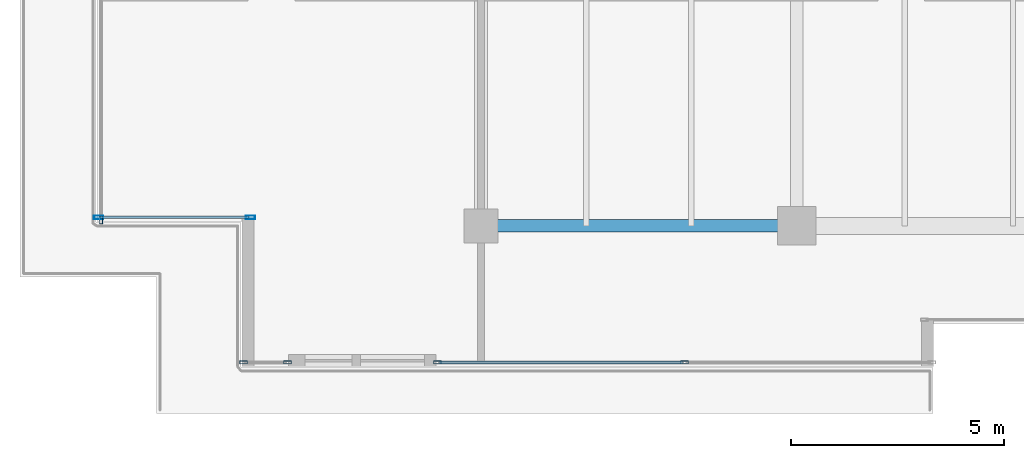
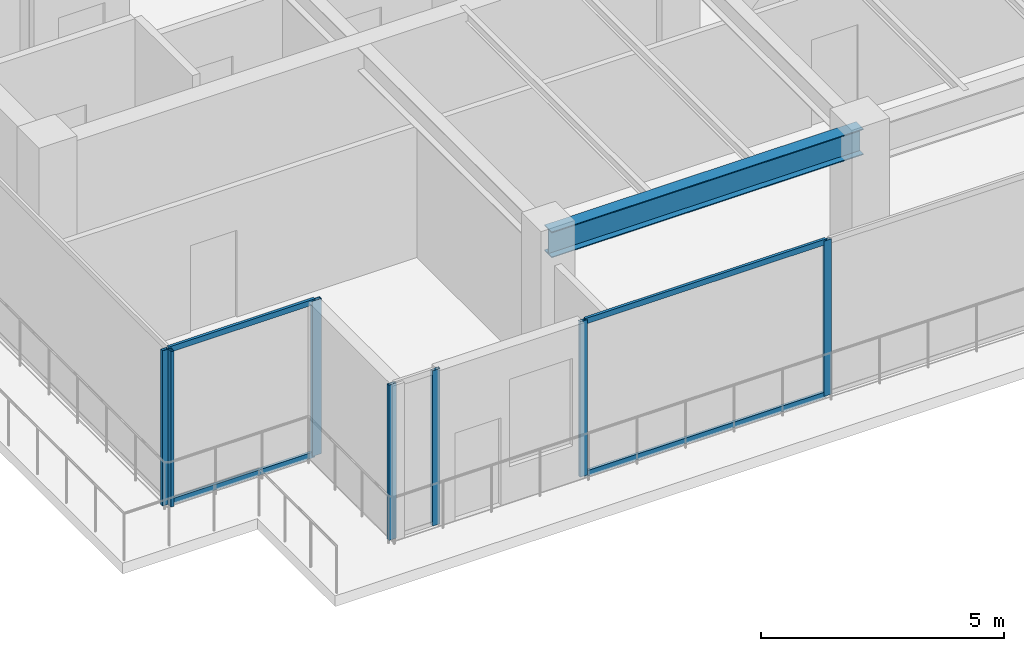
# One storey, part 4 of 34: 11 members, 1 beam, 4 elements without a shape of their own.
"""IFC4 building model written with IfcOpenShell, lengths in metres."""

from ifc_helpers import new_model, si_unit, direction, frame, origin, origin_2d, place, context, subcontext, project, spatial, hollow_rectangle, i_section, extrude, source, transform, mapped, material, layer, layer_set, material_profile, profile_set, type_object, type_shapes, element, aggregate, save


model = new_model("IFC4")

# Units and contexts
model_context = context("Model", 3, precision=1e-05, world=origin(), true_north=direction((0.0, 1.0)))
body_context = subcontext(model_context, "Body", "Model", "MODEL_VIEW")
ifc_project = project(units=[si_unit("LENGTHUNIT", "METRE"), si_unit("AREAUNIT", "SQUARE_METRE"), si_unit("VOLUMEUNIT", "CUBIC_METRE"), si_unit("PLANEANGLEUNIT", "RADIAN"), si_unit("MASSUNIT", "GRAM", prefix="KILO")], contexts=[model_context])

# Site, building, storey
site_placement = place(None, origin())
site = spatial("IfcSite", under=ifc_project, at=site_placement, CompositionType="ELEMENT")
building_placement = place(site_placement, origin())
building = spatial("IfcBuilding", under=site, at=building_placement, Name="Haelvirn Gate Laboratories", CompositionType="ELEMENT")
storey_placement = place(building_placement, frame((0.0, 0.0, 297.60009765625)))
storey = spatial("IfcBuildingStorey", under=building, at=storey_placement, Name="L71", CompositionType="ELEMENT", Elevation=297.60009765625)

# Beam
ifc_material_1 = material(Name="Steel SM355", Category="steel")
ifc_material_profile_1 = material_profile(ifc_material_1, i_section(OverallWidth=0.300048828125, OverallDepth=0.64990234375, WebThickness=0.012939453125, FlangeThickness=0.02197265625, at=origin_2d()), Name="H-650x300x13x22")
ifc_profile_set_1 = profile_set([ifc_material_profile_1], Name="Steel SM355")
beam_type = type_object("IfcBeamType", Name="BM-G-650", PredefinedType="BEAM", material=ifc_profile_set_1)
shared_shape_1 = source(origin(), body_context, "Body", "SweptSolid", [
    extrude(i_section(OverallWidth=0.300048828125, OverallDepth=0.64990234375, WebThickness=0.012939453125, FlangeThickness=0.02197265625, at=origin_2d()), origin(), (0.0, 0.0, 1.0), 7.39990234375),
])
type_shapes(beam_type, [shared_shape_1])
beam_placement = place(storey_placement, frame((14.800048828125, 7.0, 3.574951171875), z_axis=(1.0, 0.0, 0.0), x_axis=(0.0, 1.0, 0.0)))
element("IfcBeam", 1, at=beam_placement, inside=storey, type_object=beam_type, Name="L71 Primary Girder Y7.0 (14.8-22.2)", PredefinedType="BEAM", context=body_context, shape_type="MappedRepresentation", body=[
    mapped(shared_shape_1, transform((0.0, 0.0, 0.0), scale=1.0)),
])

# Curtain wall, members
ifc_material_2 = material(Name="Anodised bronze unitised aluminium & triple low-E glass", Category="aluminium")
ifc_layer_1 = layer(ifc_material_2, 0.176025390625, Name="CW-SYS-4")
ifc_layer_set_1 = layer_set([ifc_layer_1], Name="Anodised bronze unitised aluminium & triple low-E glass")
curtain_wall_type_1 = type_object("IfcCurtainWallType", Name="CW-SYS-4", PredefinedType="NOTDEFINED", material=ifc_layer_set_1)
curtain_wall_1_placement = place(storey_placement, origin())
curtain_wall_1 = element("IfcCurtainWall", 2, at=curtain_wall_1_placement, inside=storey, type_object=curtain_wall_type_1, Name="L71 Unitised Curtain Wall CW-L71-P0-E00-1", PredefinedType="NOTDEFINED")
ifc_material_3 = material(Name="Extruded aluminium 6063-T6 (anodised bronze)", Category="aluminium")
ifc_material_profile_2 = material_profile(ifc_material_3, hollow_rectangle(XDim=0.070068359375, YDim=0.179931640625, WallThickness=0.0048828125, at=origin_2d()), Name="CWM-180x70x5")
ifc_profile_set_2 = profile_set([ifc_material_profile_2], Name="Extruded aluminium 6063-T6 (anodised bronze)")
member_type_1 = type_object("IfcMemberType", Name="CWM-T180", PredefinedType="MULLION", material=ifc_profile_set_2)
shared_shape_2 = source(origin(), body_context, "Body", "SweptSolid", [
    extrude(hollow_rectangle(XDim=0.070068359375, YDim=0.179931640625, WallThickness=0.0048828125, at=origin_2d()), origin(), (0.0, 0.0, 1.0), 3.89990234375),
])
type_shapes(member_type_1, [shared_shape_2])
member_1_placement = place(storey_placement, frame((9.235107421875, 3.800048828125, 0.0), z_axis=(0.0, 0.0, 1.0), x_axis=(0.0, 1.0, 0.0)))
member_1 = element("IfcMember", 3, at=member_1_placement, type_object=member_type_1, Name="CW4 mullion 1", PredefinedType="MULLION", context=body_context, shape_type="MappedRepresentation", body=[
    mapped(shared_shape_2, transform((0.0, 0.0, 0.0), scale=1.0)),
])
member_2_placement = place(storey_placement, frame((10.27001953125, 3.800048828125, 0.0), z_axis=(0.0, 0.0, 1.0), x_axis=(0.0, 1.0, 0.0)))
member_2 = element("IfcMember", 4, at=member_2_placement, type_object=member_type_1, Name="CW4 mullion 2", PredefinedType="MULLION", context=body_context, shape_type="MappedRepresentation", body=[
    mapped(shared_shape_2, transform((0.0, 0.0, 0.0), scale=1.0)),
])
aggregate(curtain_wall_1, [member_1, member_2])

curtain_wall_2_placement = place(storey_placement, origin())
curtain_wall_2 = element("IfcCurtainWall", 5, at=curtain_wall_2_placement, inside=storey, type_object=curtain_wall_type_1, Name="L71 Unitised Curtain Wall CW-L71-P0-E00-2", PredefinedType="NOTDEFINED")
member_3_placement = place(storey_placement, frame((13.780029296875, 3.800048828125, 0.0), z_axis=(0.0, 0.0, 1.0), x_axis=(0.0, 1.0, 0.0)))
member_3 = element("IfcMember", 6, at=member_3_placement, type_object=member_type_1, Name="CW4 mullion 1", PredefinedType="MULLION", context=body_context, shape_type="MappedRepresentation", body=[
    mapped(shared_shape_2, transform((0.0, 0.0, 0.0), scale=1.0)),
])
member_4_placement = place(storey_placement, frame((19.572509765625, 3.800048828125, 0.0), z_axis=(0.0, 0.0, 1.0), x_axis=(0.0, 1.0, 0.0)))
member_4 = element("IfcMember", 7, at=member_4_placement, type_object=member_type_1, Name="CW4 mullion 2", PredefinedType="MULLION", context=body_context, shape_type="MappedRepresentation", body=[
    mapped(shared_shape_2, transform((0.0, 0.0, 0.0), scale=1.0)),
])

# Curtain wall, member
curtain_wall_3_placement = place(storey_placement, origin())
curtain_wall_3 = element("IfcCurtainWall", 8, at=curtain_wall_3_placement, inside=storey, type_object=curtain_wall_type_1, Name="L71 Unitised Curtain Wall CW-L71-P0-E17", PredefinedType="NOTDEFINED")
member_5_placement = place(storey_placement, frame((5.89990234375, 7.135009765625, 0.0), z_axis=(0.0, 0.0, 1.0), x_axis=(1.0, 0.0, 0.0)))
member_5 = element("IfcMember", 9, at=member_5_placement, type_object=member_type_1, Name="CW4 mullion 3", PredefinedType="MULLION", context=body_context, shape_type="MappedRepresentation", body=[
    mapped(shared_shape_2, transform((0.0, 0.0, 0.0), scale=1.0)),
])
aggregate(curtain_wall_3, [member_5])

# Member
ifc_material_profile_3 = material_profile(ifc_material_3, hollow_rectangle(XDim=0.06494140625, YDim=0.139892578125, WallThickness=0.00390625, at=origin_2d()), Name="CWT-140x65x4")
ifc_profile_set_3 = profile_set([ifc_material_profile_3], Name="Extruded aluminium 6063-T6 (anodised bronze)")
member_type_2 = type_object("IfcMemberType", Name="CWT-T140", PredefinedType="USERDEFINED", material=ifc_profile_set_3)
shared_shape_3 = source(origin(), body_context, "Body", "SweptSolid", [
    extrude(hollow_rectangle(XDim=0.06494140625, YDim=0.139892578125, WallThickness=0.00390625, at=origin_2d()), origin(), (0.0, 0.0, 1.0), 5.72265625),
])
member_6_placement = place(storey_placement, frame((13.81494140625, 3.800048828125, 0.032470703125), z_axis=(1.0, 0.0, 0.0), x_axis=(0.0, 1.0, 0.0)))
member_6 = element("IfcMember", 10, at=member_6_placement, type_object=member_type_2, Name="CW4 transom 1.1", ObjectType="TRANSOM", PredefinedType="USERDEFINED", context=body_context, shape_type="MappedRepresentation", body=[
    mapped(shared_shape_3, transform((0.0, 0.0, 0.0), scale=1.0)),
])

member_7_placement = place(storey_placement, frame((13.81494140625, 3.800048828125, 3.867431640625), z_axis=(1.0, 0.0, 0.0), x_axis=(0.0, 1.0, 0.0)))
member_7 = element("IfcMember", 11, at=member_7_placement, type_object=member_type_2, Name="CW4 transom 1.2", ObjectType="TRANSOM", PredefinedType="USERDEFINED", context=body_context, shape_type="MappedRepresentation", body=[
    mapped(shared_shape_3, transform((0.0, 0.0, 0.0), scale=1.0)),
])

aggregate(curtain_wall_2, [member_3, member_4, member_6, member_7])

# Curtain wall, members
ifc_layer_2 = layer(ifc_material_2, 0.181884765625, Name="CW-SYS-5")
ifc_layer_set_2 = layer_set([ifc_layer_2], Name="Anodised bronze unitised aluminium & triple low-E glass")
curtain_wall_type_2 = type_object("IfcCurtainWallType", Name="CW-SYS-5", PredefinedType="NOTDEFINED", material=ifc_layer_set_2)
curtain_wall_4_placement = place(storey_placement, origin())
curtain_wall_4 = element("IfcCurtainWall", 12, at=curtain_wall_4_placement, inside=storey, type_object=curtain_wall_type_2, Name="L71 Unitised Curtain Wall CW-L71-P0-E18-1", PredefinedType="NOTDEFINED")
ifc_material_profile_4 = material_profile(ifc_material_3, hollow_rectangle(XDim=0.080078125, YDim=0.219970703125, WallThickness=0.006103515625, at=origin_2d()), Name="CWM-220x80x6")
ifc_profile_set_4 = profile_set([ifc_material_profile_4], Name="Extruded aluminium 6063-T6 (anodised bronze)")
member_type_3 = type_object("IfcMemberType", Name="CWM-T220", PredefinedType="MULLION", material=ifc_profile_set_4)
shared_shape_4 = source(origin(), body_context, "Body", "SweptSolid", [
    extrude(hollow_rectangle(XDim=0.080078125, YDim=0.219970703125, WallThickness=0.006103515625, at=origin_2d()), origin(), (0.0, 0.0, 1.0), 3.89990234375),
])
type_shapes(member_type_3, [shared_shape_4])
member_8_placement = place(storey_placement, frame((5.840087890625, 7.199951171875, 0.0), z_axis=(0.0, 0.0, 1.0), x_axis=(0.0, 1.0, 0.0)))
member_8 = element("IfcMember", 13, at=member_8_placement, type_object=member_type_3, Name="CW5 mullion 1", PredefinedType="MULLION", context=body_context, shape_type="MappedRepresentation", body=[
    mapped(shared_shape_4, transform((0.0, 0.0, 0.0), scale=1.0)),
])
member_9_placement = place(storey_placement, frame((9.39990234375, 7.199951171875, 0.0), z_axis=(0.0, 0.0, 1.0), x_axis=(0.0, 1.0, 0.0)))
member_9 = element("IfcMember", 14, at=member_9_placement, type_object=member_type_3, Name="CW5 mullion 2", PredefinedType="MULLION", context=body_context, shape_type="MappedRepresentation", body=[
    mapped(shared_shape_4, transform((0.0, 0.0, 0.0), scale=1.0)),
])
shared_shape_5 = source(origin(), body_context, "Body", "SweptSolid", [
    extrude(hollow_rectangle(XDim=0.06494140625, YDim=0.139892578125, WallThickness=0.00390625, at=origin_2d()), origin(), (0.0, 0.0, 1.0), 3.480224609375),
])
type_shapes(member_type_2, [shared_shape_3, shared_shape_5])
member_10_placement = place(storey_placement, frame((5.8798828125, 7.199951171875, 0.032470703125), z_axis=(1.0, 0.0, 0.0), x_axis=(0.0, 1.0, 0.0)))
member_10 = element("IfcMember", 15, at=member_10_placement, type_object=member_type_2, Name="CW5 transom 1.1", ObjectType="TRANSOM", PredefinedType="USERDEFINED", context=body_context, shape_type="MappedRepresentation", body=[
    mapped(shared_shape_5, transform((0.0, 0.0, 0.0), scale=1.0)),
])
member_11_placement = place(storey_placement, frame((5.8798828125, 7.199951171875, 3.867431640625), z_axis=(1.0, 0.0, 0.0), x_axis=(0.0, 1.0, 0.0)))
member_11 = element("IfcMember", 16, at=member_11_placement, type_object=member_type_2, Name="CW5 transom 1.2", ObjectType="TRANSOM", PredefinedType="USERDEFINED", context=body_context, shape_type="MappedRepresentation", body=[
    mapped(shared_shape_5, transform((0.0, 0.0, 0.0), scale=1.0)),
])
aggregate(curtain_wall_4, [member_8, member_9, member_10, member_11])

save(model, "model.ifc")
